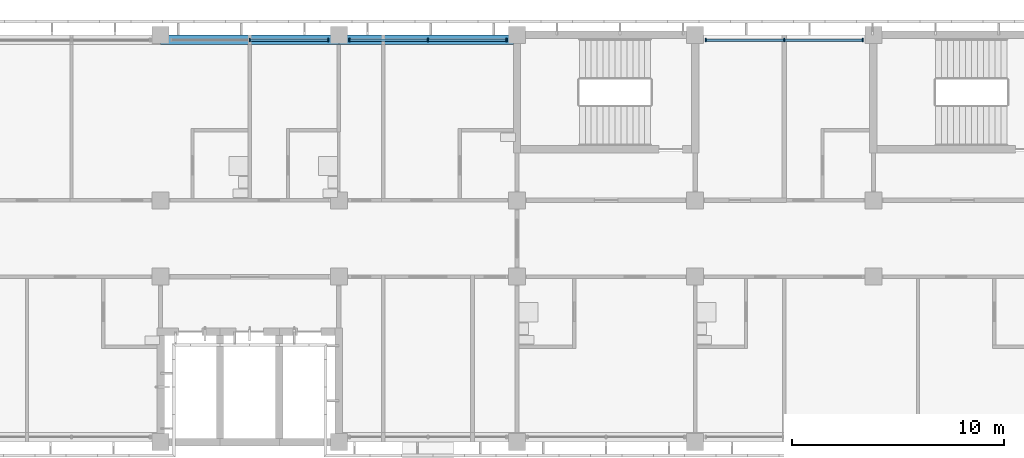
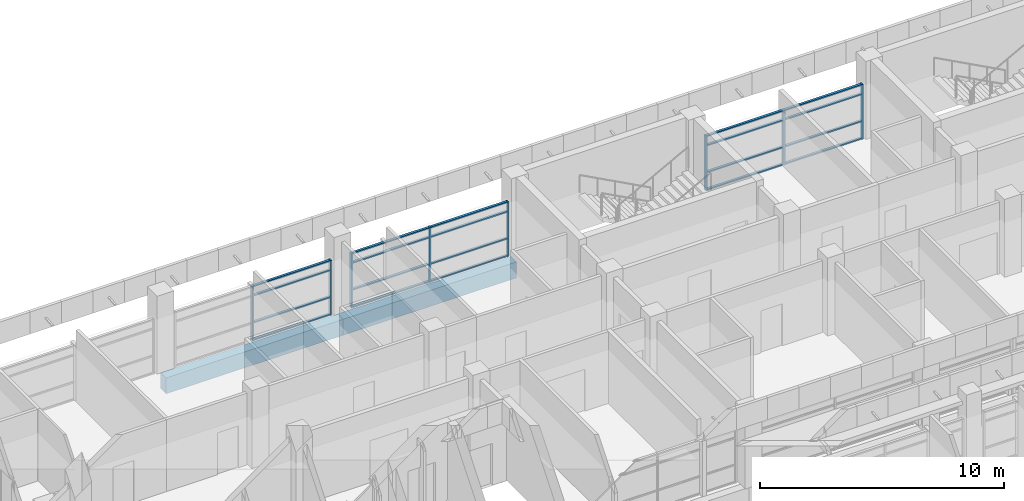
# One storey, part 10 of 71: 28 members, 2 beams, 3 elements without a shape of their own.
"""IFC4 building model written with IfcOpenShell, lengths in metres."""

import ifcopenshell
import ifcopenshell.guid

model = None  # the IFC model being written
_history = None  # IfcOwnerHistory: only IFC2X3 demands one
_inside = {}  # id of a spatial element -> (the spatial element, [elements in it])
_under = {}  # id of a project, library or spatial element -> (it, [spatial elements below it])
_declared = {}  # id of a project -> (the project, [libraries it declares])
_typed = {}  # id of a type object -> (the type object, [elements of that type])
_made_of = {}  # id of a material, layer set ... -> (it, [elements and type objects made of it])


def new_model(schema):
    """Start an empty IFC model of exactly this schema.

    Asked for "IFC4X3", IfcOpenShell would pick the latest addendum, in which some entities
    have other attributes; the version numbers below select the first issue.
    IFC2X3 requires an IfcOwnerHistory on every rooted entity: one is made here for all.
    """
    global model, _history
    if schema == "IFC4X3":
        model = ifcopenshell.file(schema_version=(4, 3, 0, 0))
    else:
        model = ifcopenshell.file(schema=schema)
    _inside.clear()
    _under.clear()
    _declared.clear()
    _typed.clear()
    _made_of.clear()
    _history = None
    if model.schema == "IFC2X3":
        org = make("IfcOrganization", Name="unknown")
        user = make(
            "IfcPersonAndOrganization",
            ThePerson=make("IfcPerson", FamilyName="unknown"),
            TheOrganization=org,
        )
        app = make(
            "IfcApplication",
            ApplicationDeveloper=org,
            Version="unknown",
            ApplicationFullName="unknown",
            ApplicationIdentifier="unknown",
        )
        _history = make(
            "IfcOwnerHistory",
            OwningUser=user,
            OwningApplication=app,
            ChangeAction="ADDED",
            CreationDate=0,
        )
    return model


def make(cls, **values):
    """One entity of the class cls with the attributes given. An attribute that is None is left unset."""
    return model.create_entity(
        cls, **{name: value for name, value in values.items() if value is not None}
    )


def rooted(cls, **values):
    """An entity with a GlobalId (a new one), such as an element, a storey or a relation."""
    return make(cls, GlobalId=ifcopenshell.guid.new(), OwnerHistory=_history, **values)


def si_unit(unit_type, name, prefix=None):
    """IfcSIUnit, for example si_unit("LENGTHUNIT", "METRE", prefix="MILLI")."""
    return make("IfcSIUnit", UnitType=unit_type, Prefix=prefix, Name=name)


def assignment(units):
    """IfcUnitAssignment: the units of a project."""
    return None if units is None else make("IfcUnitAssignment", Units=units)


def point(xyz):
    """IfcCartesianPoint."""
    return None if xyz is None else make("IfcCartesianPoint", Coordinates=xyz)


def direction(xyz):
    """IfcDirection."""
    return None if xyz is None else make("IfcDirection", DirectionRatios=xyz)


def frame(location, z_axis=None, x_axis=None):
    """IfcAxis2Placement3D, a coordinate frame: its origin and axes. An axis left out is left unset."""
    return make(
        "IfcAxis2Placement3D",
        Location=point(location),
        Axis=direction(z_axis),
        RefDirection=direction(x_axis),
    )


def frame_2d(location, x_axis=None):
    """IfcAxis2Placement2D, a coordinate frame in the plane: its origin and x axis."""
    return make(
        "IfcAxis2Placement2D", Location=point(location), RefDirection=direction(x_axis)
    )


def origin():
    """The frame at (0, 0, 0) with its axes left unset."""
    return frame((0.0, 0.0, 0.0))


def origin_2d():
    """The frame at (0, 0) in the plane with its x axis left unset."""
    return frame_2d((0.0, 0.0))


def place(relative_to, where):
    """IfcLocalPlacement: puts the frame where relative to a parent placement (None: the world)."""
    return make(
        "IfcLocalPlacement", PlacementRelTo=relative_to, RelativePlacement=where
    )


def context(
    kind, dimensions, precision=None, world=None, true_north=None, identifier=None
):
    """IfcGeometricRepresentationContext, for example the 3D "Model" context."""
    return make(
        "IfcGeometricRepresentationContext",
        ContextIdentifier=identifier,
        ContextType=kind,
        CoordinateSpaceDimension=dimensions,
        Precision=precision,
        WorldCoordinateSystem=world,
        TrueNorth=true_north,
    )


def subcontext(parent, identifier, kind, view, scale=None):
    """IfcGeometricRepresentationSubContext, for example "Body" below "Model"."""
    return make(
        "IfcGeometricRepresentationSubContext",
        ContextIdentifier=identifier,
        ContextType=kind,
        ParentContext=parent,
        TargetScale=scale,
        TargetView=view,
    )


def project(units=None, contexts=None):
    """IfcProject with its units and contexts."""
    return rooted(
        "IfcProject",
        Name="project",
        RepresentationContexts=contexts,
        UnitsInContext=assignment(units),
    )


def spatial(cls, under=None, at=None, **own):
    """A site, building, storey or space (cls), placed at a placement, below another one or the project."""
    s = rooted(cls, ObjectPlacement=at, **own)
    if under is not None:
        _under.setdefault(under.id(), (under, []))[1].append(s)
    return s


def profile(cls, at=None, kind="AREA", **sizes):
    """A parametric profile (cls). Its sizes go by their IFC names, for example OverallWidth=200.0."""
    return make(cls, ProfileType=kind, Position=at, **sizes)


def rectangle(**sizes):
    """IfcRectangleProfileDef."""
    return profile("IfcRectangleProfileDef", **sizes)


def extrude(swept, where, along, depth):
    """IfcExtrudedAreaSolid: the profile swept, set in the frame where, extruded along a direction by depth."""
    return make(
        "IfcExtrudedAreaSolid",
        SweptArea=swept,
        Position=where,
        ExtrudedDirection=direction(along),
        Depth=depth,
    )


def shape(context_of_items, identifier, shape_type, items):
    """IfcShapeRepresentation: the items that make up one representation, for example the "Body"."""
    return make(
        "IfcShapeRepresentation",
        ContextOfItems=context_of_items,
        RepresentationIdentifier=identifier,
        RepresentationType=shape_type,
        Items=items,
    )


def material(Name=None, Category=None):
    """IfcMaterial."""
    return make("IfcMaterial", Name=Name, Category=Category)


def material_profile(
    of_material, cross_section, Name=None, Category=None, Priority=None
):
    """IfcMaterialProfile: a cross section and its material."""
    return make(
        "IfcMaterialProfile",
        Name=Name,
        Material=of_material,
        Profile=cross_section,
        Priority=Priority,
        Category=Category,
    )


def profile_set(profiles, Name=None, composite=None):
    """IfcMaterialProfileSet."""
    return make(
        "IfcMaterialProfileSet",
        Name=Name,
        MaterialProfiles=profiles,
        CompositeProfile=composite,
    )


def made_of(thing, what):
    """Note that an element or type object is made of a material, layer set ...; save() writes the relation."""
    if what is not None:
        _made_of.setdefault(what.id(), (what, []))[1].append(thing)
    return thing


def type_object(cls, material=None, **own):
    """A type object (cls), such as IfcWallType, which elements share."""
    return made_of(rooted(cls, **own), material)


def element(
    cls,
    number,
    at=None,
    inside=None,
    cuts=None,
    type_object=None,
    material=None,
    context=None,
    identifier="Body",
    shape_type=None,
    held_by="IfcProductDefinitionShape",
    body=None,
    shapes=None,
    **own,
):
    """One element of the class cls, such as IfcWall. Its Tag is "e" and its number.

    at: its placement. inside: the storey or other place that contains it. cuts: it is an
    opening in that element (IfcRelVoidsElement). A single representation is given by context,
    identifier, shape_type and body (its items); several are given by shapes. held_by: the class
    of the entity that holds the representations. save() writes the other relations.
    """
    e = rooted(cls, Tag="e%d" % number, ObjectPlacement=at, **own)
    if body is not None:
        shapes = [shape(context, identifier, shape_type, body)]
    if shapes is not None:
        e.Representation = make(held_by, Representations=shapes)
    if inside is not None:
        _inside.setdefault(inside.id(), (inside, []))[1].append(e)
    if cuts is not None:
        rooted(
            "IfcRelVoidsElement", RelatingBuildingElement=cuts, RelatedOpeningElement=e
        )
    if type_object is not None:
        _typed.setdefault(type_object.id(), (type_object, []))[1].append(e)
    return made_of(e, material)


def aggregate(whole, parts):
    """IfcRelAggregates: a whole, such as a stair, and the parts it consists of."""
    return rooted("IfcRelAggregates", RelatingObject=whole, RelatedObjects=parts)


def save(model, path):
    """Write the relations noted so far, then the file.

    IfcRelAggregates (storeys below a building ...), IfcRelContainedInSpatialStructure (elements
    in a storey), IfcRelDefinesByType, IfcRelAssociatesMaterial and IfcRelDeclares: one each for
    every whole, place, type object, material and project.
    """
    for whole, parts in _under.values():
        aggregate(whole, parts)
    for where, things in _inside.values():
        rooted(
            "IfcRelContainedInSpatialStructure",
            RelatedElements=things,
            RelatingStructure=where,
        )
    for kind, things in _typed.values():
        rooted("IfcRelDefinesByType", RelatedObjects=things, RelatingType=kind)
    for what, things in _made_of.values():
        rooted("IfcRelAssociatesMaterial", RelatedObjects=things, RelatingMaterial=what)
    for by, libraries in _declared.values():
        rooted("IfcRelDeclares", RelatingContext=by, RelatedDefinitions=libraries)
    model.write(path)


model = new_model("IFC4")

# Units and contexts
model_context = context("Model", 3, precision=1e-05, world=origin(), true_north=direction((0.0, 1.0)))
body_context = subcontext(model_context, "Body", "Model", "MODEL_VIEW")
ifc_project = project(units=[si_unit("LENGTHUNIT", "METRE"), si_unit("AREAUNIT", "SQUARE_METRE"), si_unit("VOLUMEUNIT", "CUBIC_METRE"), si_unit("PLANEANGLEUNIT", "RADIAN"), si_unit("MASSUNIT", "GRAM", prefix="KILO")], contexts=[model_context])

# Site, building, storey
site_placement = place(None, origin())
site = spatial("IfcSite", under=ifc_project, at=site_placement, CompositionType="ELEMENT")
building_placement = place(site_placement, origin())
building = spatial("IfcBuilding", under=site, at=building_placement, Name="Bougainvillea Quay General Hospital", CompositionType="ELEMENT")
storey_placement = place(building_placement, frame((0.0, 0.0, 24.89990234375)))
storey = spatial("IfcBuildingStorey", under=building, at=storey_placement, Name="L05", CompositionType="ELEMENT", Elevation=24.89990234375)

# Curtain wall, members
ifc_material_1 = material(Name="Aluminium curtain wall system, powder-coated glazed", Category="aluminium")
curtain_wall_type = type_object("IfcCurtainWallType", Name="Unitised curtain wall CW-3730", PredefinedType="NOTDEFINED", material=ifc_material_1)
curtain_wall_1_placement = place(storey_placement, origin())
curtain_wall_1 = element("IfcCurtainWall", 1, at=curtain_wall_1_placement, inside=storey, type_object=curtain_wall_type, Name="CW-4200 07", PredefinedType="NOTDEFINED")
ifc_material_2 = material(Name="Aluminium mullion, powder-coated charcoal", Category="aluminium")
ifc_material_profile_1 = material_profile(ifc_material_2, rectangle(XDim=0.159912109375, YDim=0.06005859375, at=origin_2d()))
ifc_profile_set_1 = profile_set([ifc_material_profile_1], Name="Aluminium mullion, powder-coated charcoal")
member_type_1 = type_object("IfcMemberType", Name="Curtain wall mullion 160x60", PredefinedType="MULLION", material=ifc_profile_set_1)
member_1_placement = place(storey_placement, frame((100.300048828125, 159.35009765625, 0.0), z_axis=(0.0, 0.0, 1.0), x_axis=(0.0, -1.0, 0.0)))
member_1 = element("IfcMember", 2, at=member_1_placement, type_object=member_type_1, Name="CW-4200 mullion 1", PredefinedType="MULLION", context=body_context, shape_type="SweptSolid", body=[
    extrude(rectangle(XDim=0.159912109375, YDim=0.06005859375, at=origin_2d()), origin(), (0.0, 0.0, 1.0), 2.75),
])
member_2_placement = place(storey_placement, frame((96.60009765625, 159.35009765625, 0.0), z_axis=(0.0, 0.0, 1.0), x_axis=(0.0, -1.0, 0.0)))
member_2 = element("IfcMember", 3, at=member_2_placement, type_object=member_type_1, Name="CW-4200 mullion 2", PredefinedType="MULLION", context=body_context, shape_type="SweptSolid", body=[
    extrude(rectangle(XDim=0.159912109375, YDim=0.06005859375, at=origin_2d()), origin(), (0.0, 0.0, 1.0), 2.75),
])
member_3_placement = place(storey_placement, frame((92.89990234375, 159.35009765625, 0.0), z_axis=(0.0, 0.0, 1.0), x_axis=(0.0, -1.0, 0.0)))
member_3 = element("IfcMember", 4, at=member_3_placement, type_object=member_type_1, Name="CW-4200 mullion 3", PredefinedType="MULLION", context=body_context, shape_type="SweptSolid", body=[
    extrude(rectangle(XDim=0.159912109375, YDim=0.06005859375, at=origin_2d()), origin(), (0.0, 0.0, 1.0), 2.75),
])

curtain_wall_2_placement = place(storey_placement, origin())
curtain_wall_2 = element("IfcCurtainWall", 5, at=curtain_wall_2_placement, inside=storey, type_object=curtain_wall_type, Name="CW-4200 08", PredefinedType="NOTDEFINED")
member_4_placement = place(storey_placement, frame((83.5, 159.35009765625, 0.0), z_axis=(0.0, 0.0, 1.0), x_axis=(0.0, -1.0, 0.0)))
member_4 = element("IfcMember", 6, at=member_4_placement, type_object=member_type_1, Name="CW-4200 mullion 1", PredefinedType="MULLION", context=body_context, shape_type="SweptSolid", body=[
    extrude(rectangle(XDim=0.159912109375, YDim=0.06005859375, at=origin_2d()), origin(), (0.0, 0.0, 1.0), 2.75),
])
member_5_placement = place(storey_placement, frame((79.800048828125, 159.35009765625, 0.0), z_axis=(0.0, 0.0, 1.0), x_axis=(0.0, -1.0, 0.0)))
member_5 = element("IfcMember", 7, at=member_5_placement, type_object=member_type_1, Name="CW-4200 mullion 2", PredefinedType="MULLION", context=body_context, shape_type="SweptSolid", body=[
    extrude(rectangle(XDim=0.159912109375, YDim=0.06005859375, at=origin_2d()), origin(), (0.0, 0.0, 1.0), 2.75),
])
member_6_placement = place(storey_placement, frame((76.10009765625, 159.35009765625, 0.0), z_axis=(0.0, 0.0, 1.0), x_axis=(0.0, -1.0, 0.0)))
member_6 = element("IfcMember", 8, at=member_6_placement, type_object=member_type_1, Name="CW-4200 mullion 3", PredefinedType="MULLION", context=body_context, shape_type="SweptSolid", body=[
    extrude(rectangle(XDim=0.159912109375, YDim=0.06005859375, at=origin_2d()), origin(), (0.0, 0.0, 1.0), 2.75),
])

curtain_wall_3_placement = place(storey_placement, origin())
curtain_wall_3 = element("IfcCurtainWall", 9, at=curtain_wall_3_placement, inside=storey, type_object=curtain_wall_type, Name="CW-4200 09", PredefinedType="NOTDEFINED")
member_7_placement = place(storey_placement, frame((75.10009765625, 159.35009765625, 0.0), z_axis=(0.0, 0.0, 1.0), x_axis=(0.0, -1.0, 0.0)))
member_7 = element("IfcMember", 10, at=member_7_placement, type_object=member_type_1, Name="CW-4200 mullion 1", PredefinedType="MULLION", context=body_context, shape_type="SweptSolid", body=[
    extrude(rectangle(XDim=0.159912109375, YDim=0.06005859375, at=origin_2d()), origin(), (0.0, 0.0, 1.0), 2.75),
])
member_8_placement = place(storey_placement, frame((71.39990234375, 159.35009765625, 0.0), z_axis=(0.0, 0.0, 1.0), x_axis=(0.0, -1.0, 0.0)))
member_8 = element("IfcMember", 11, at=member_8_placement, type_object=member_type_1, Name="CW-4200 mullion 2", PredefinedType="MULLION", context=body_context, shape_type="SweptSolid", body=[
    extrude(rectangle(XDim=0.159912109375, YDim=0.06005859375, at=origin_2d()), origin(), (0.0, 0.0, 1.0), 2.75),
])

# Member
ifc_material_3 = material(Name="Aluminium transom, powder-coated charcoal", Category="aluminium")
ifc_material_profile_2 = material_profile(ifc_material_3, rectangle(XDim=0.1201171875, YDim=0.06005859375, at=origin_2d()))
ifc_profile_set_2 = profile_set([ifc_material_profile_2], Name="Aluminium transom, powder-coated charcoal")
member_type_2 = type_object("IfcMemberType", Name="Curtain wall transom 120x60", PredefinedType="USERDEFINED", material=ifc_profile_set_2)
member_9_placement = place(storey_placement, frame((100.27001953125, 159.35009765625, 0.030029296875), z_axis=(-1.0, 0.0, 0.0), x_axis=(0.0, -1.0, 0.0)))
member_9 = element("IfcMember", 12, at=member_9_placement, type_object=member_type_2, Name="CW-4200 transom 1.1", ObjectType="TRANSOM", PredefinedType="USERDEFINED", context=body_context, shape_type="SweptSolid", body=[
    extrude(rectangle(XDim=0.1201171875, YDim=0.06005859375, at=origin_2d()), origin(), (0.0, 0.0, 1.0), 3.64013671875),
])

member_10_placement = place(storey_placement, frame((100.27001953125, 159.35009765625, 0.900146484375), z_axis=(-1.0, 0.0, 0.0), x_axis=(0.0, -1.0, 0.0)))
member_10 = element("IfcMember", 13, at=member_10_placement, type_object=member_type_2, Name="CW-4200 transom 1.2", ObjectType="TRANSOM", PredefinedType="USERDEFINED", context=body_context, shape_type="SweptSolid", body=[
    extrude(rectangle(XDim=0.1201171875, YDim=0.06005859375, at=origin_2d()), origin(), (0.0, 0.0, 1.0), 3.64013671875),
])

member_11_placement = place(storey_placement, frame((100.27001953125, 159.35009765625, 2.25), z_axis=(-1.0, 0.0, 0.0), x_axis=(0.0, -1.0, 0.0)))
member_11 = element("IfcMember", 14, at=member_11_placement, type_object=member_type_2, Name="CW-4200 transom 1.3", ObjectType="TRANSOM", PredefinedType="USERDEFINED", context=body_context, shape_type="SweptSolid", body=[
    extrude(rectangle(XDim=0.1201171875, YDim=0.06005859375, at=origin_2d()), origin(), (0.0, 0.0, 1.0), 3.64013671875),
])

member_12_placement = place(storey_placement, frame((100.27001953125, 159.35009765625, 2.72021484375), z_axis=(-1.0, 0.0, 0.0), x_axis=(0.0, -1.0, 0.0)))
member_12 = element("IfcMember", 15, at=member_12_placement, type_object=member_type_2, Name="CW-4200 transom 1.4", ObjectType="TRANSOM", PredefinedType="USERDEFINED", context=body_context, shape_type="SweptSolid", body=[
    extrude(rectangle(XDim=0.1201171875, YDim=0.06005859375, at=origin_2d()), origin(), (0.0, 0.0, 1.0), 3.64013671875),
])

member_13_placement = place(storey_placement, frame((96.570068359375, 159.35009765625, 0.030029296875), z_axis=(-1.0, 0.0, 0.0), x_axis=(0.0, -1.0, 0.0)))
member_13 = element("IfcMember", 16, at=member_13_placement, type_object=member_type_2, Name="CW-4200 transom 2.1", ObjectType="TRANSOM", PredefinedType="USERDEFINED", context=body_context, shape_type="SweptSolid", body=[
    extrude(rectangle(XDim=0.1201171875, YDim=0.06005859375, at=origin_2d()), origin(), (0.0, 0.0, 1.0), 3.64013671875),
])

member_14_placement = place(storey_placement, frame((96.570068359375, 159.35009765625, 0.900146484375), z_axis=(-1.0, 0.0, 0.0), x_axis=(0.0, -1.0, 0.0)))
member_14 = element("IfcMember", 17, at=member_14_placement, type_object=member_type_2, Name="CW-4200 transom 2.2", ObjectType="TRANSOM", PredefinedType="USERDEFINED", context=body_context, shape_type="SweptSolid", body=[
    extrude(rectangle(XDim=0.1201171875, YDim=0.06005859375, at=origin_2d()), origin(), (0.0, 0.0, 1.0), 3.64013671875),
])

member_15_placement = place(storey_placement, frame((96.570068359375, 159.35009765625, 2.25), z_axis=(-1.0, 0.0, 0.0), x_axis=(0.0, -1.0, 0.0)))
member_15 = element("IfcMember", 18, at=member_15_placement, type_object=member_type_2, Name="CW-4200 transom 2.3", ObjectType="TRANSOM", PredefinedType="USERDEFINED", context=body_context, shape_type="SweptSolid", body=[
    extrude(rectangle(XDim=0.1201171875, YDim=0.06005859375, at=origin_2d()), origin(), (0.0, 0.0, 1.0), 3.64013671875),
])

member_16_placement = place(storey_placement, frame((96.570068359375, 159.35009765625, 2.72021484375), z_axis=(-1.0, 0.0, 0.0), x_axis=(0.0, -1.0, 0.0)))
member_16 = element("IfcMember", 19, at=member_16_placement, type_object=member_type_2, Name="CW-4200 transom 2.4", ObjectType="TRANSOM", PredefinedType="USERDEFINED", context=body_context, shape_type="SweptSolid", body=[
    extrude(rectangle(XDim=0.1201171875, YDim=0.06005859375, at=origin_2d()), origin(), (0.0, 0.0, 1.0), 3.64013671875),
])

aggregate(curtain_wall_1, [member_1, member_2, member_3, member_9, member_10, member_11, member_12, member_13, member_14, member_15, member_16])

member_17_placement = place(storey_placement, frame((83.469970703125, 159.35009765625, 0.030029296875), z_axis=(-1.0, 0.0, 0.0), x_axis=(0.0, -1.0, 0.0)))
member_17 = element("IfcMember", 20, at=member_17_placement, type_object=member_type_2, Name="CW-4200 transom 1.1", ObjectType="TRANSOM", PredefinedType="USERDEFINED", context=body_context, shape_type="SweptSolid", body=[
    extrude(rectangle(XDim=0.1201171875, YDim=0.06005859375, at=origin_2d()), origin(), (0.0, 0.0, 1.0), 3.639892578125),
])

member_18_placement = place(storey_placement, frame((83.469970703125, 159.35009765625, 0.900146484375), z_axis=(-1.0, 0.0, 0.0), x_axis=(0.0, -1.0, 0.0)))
member_18 = element("IfcMember", 21, at=member_18_placement, type_object=member_type_2, Name="CW-4200 transom 1.2", ObjectType="TRANSOM", PredefinedType="USERDEFINED", context=body_context, shape_type="SweptSolid", body=[
    extrude(rectangle(XDim=0.1201171875, YDim=0.06005859375, at=origin_2d()), origin(), (0.0, 0.0, 1.0), 3.639892578125),
])

member_19_placement = place(storey_placement, frame((83.469970703125, 159.35009765625, 2.25), z_axis=(-1.0, 0.0, 0.0), x_axis=(0.0, -1.0, 0.0)))
member_19 = element("IfcMember", 22, at=member_19_placement, type_object=member_type_2, Name="CW-4200 transom 1.3", ObjectType="TRANSOM", PredefinedType="USERDEFINED", context=body_context, shape_type="SweptSolid", body=[
    extrude(rectangle(XDim=0.1201171875, YDim=0.06005859375, at=origin_2d()), origin(), (0.0, 0.0, 1.0), 3.639892578125),
])

member_20_placement = place(storey_placement, frame((83.469970703125, 159.35009765625, 2.72021484375), z_axis=(-1.0, 0.0, 0.0), x_axis=(0.0, -1.0, 0.0)))
member_20 = element("IfcMember", 23, at=member_20_placement, type_object=member_type_2, Name="CW-4200 transom 1.4", ObjectType="TRANSOM", PredefinedType="USERDEFINED", context=body_context, shape_type="SweptSolid", body=[
    extrude(rectangle(XDim=0.1201171875, YDim=0.06005859375, at=origin_2d()), origin(), (0.0, 0.0, 1.0), 3.639892578125),
])

member_21_placement = place(storey_placement, frame((79.77001953125, 159.35009765625, 0.030029296875), z_axis=(-1.0, 0.0, 0.0), x_axis=(0.0, -1.0, 0.0)))
member_21 = element("IfcMember", 24, at=member_21_placement, type_object=member_type_2, Name="CW-4200 transom 2.1", ObjectType="TRANSOM", PredefinedType="USERDEFINED", context=body_context, shape_type="SweptSolid", body=[
    extrude(rectangle(XDim=0.1201171875, YDim=0.06005859375, at=origin_2d()), origin(), (0.0, 0.0, 1.0), 3.64013671875),
])

member_22_placement = place(storey_placement, frame((79.77001953125, 159.35009765625, 0.900146484375), z_axis=(-1.0, 0.0, 0.0), x_axis=(0.0, -1.0, 0.0)))
member_22 = element("IfcMember", 25, at=member_22_placement, type_object=member_type_2, Name="CW-4200 transom 2.2", ObjectType="TRANSOM", PredefinedType="USERDEFINED", context=body_context, shape_type="SweptSolid", body=[
    extrude(rectangle(XDim=0.1201171875, YDim=0.06005859375, at=origin_2d()), origin(), (0.0, 0.0, 1.0), 3.64013671875),
])

member_23_placement = place(storey_placement, frame((79.77001953125, 159.35009765625, 2.25), z_axis=(-1.0, 0.0, 0.0), x_axis=(0.0, -1.0, 0.0)))
member_23 = element("IfcMember", 26, at=member_23_placement, type_object=member_type_2, Name="CW-4200 transom 2.3", ObjectType="TRANSOM", PredefinedType="USERDEFINED", context=body_context, shape_type="SweptSolid", body=[
    extrude(rectangle(XDim=0.1201171875, YDim=0.06005859375, at=origin_2d()), origin(), (0.0, 0.0, 1.0), 3.64013671875),
])

member_24_placement = place(storey_placement, frame((79.77001953125, 159.35009765625, 2.72021484375), z_axis=(-1.0, 0.0, 0.0), x_axis=(0.0, -1.0, 0.0)))
member_24 = element("IfcMember", 27, at=member_24_placement, type_object=member_type_2, Name="CW-4200 transom 2.4", ObjectType="TRANSOM", PredefinedType="USERDEFINED", context=body_context, shape_type="SweptSolid", body=[
    extrude(rectangle(XDim=0.1201171875, YDim=0.06005859375, at=origin_2d()), origin(), (0.0, 0.0, 1.0), 3.64013671875),
])

aggregate(curtain_wall_2, [member_4, member_5, member_6, member_17, member_18, member_19, member_20, member_21, member_22, member_23, member_24])

member_25_placement = place(storey_placement, frame((75.070068359375, 159.35009765625, 0.030029296875), z_axis=(-1.0, 0.0, 0.0), x_axis=(0.0, -1.0, 0.0)))
member_25 = element("IfcMember", 28, at=member_25_placement, type_object=member_type_2, Name="CW-4200 transom 1.1", ObjectType="TRANSOM", PredefinedType="USERDEFINED", context=body_context, shape_type="SweptSolid", body=[
    extrude(rectangle(XDim=0.1201171875, YDim=0.06005859375, at=origin_2d()), origin(), (0.0, 0.0, 1.0), 3.64013671875),
])

member_26_placement = place(storey_placement, frame((75.070068359375, 159.35009765625, 0.900146484375), z_axis=(-1.0, 0.0, 0.0), x_axis=(0.0, -1.0, 0.0)))
member_26 = element("IfcMember", 29, at=member_26_placement, type_object=member_type_2, Name="CW-4200 transom 1.2", ObjectType="TRANSOM", PredefinedType="USERDEFINED", context=body_context, shape_type="SweptSolid", body=[
    extrude(rectangle(XDim=0.1201171875, YDim=0.06005859375, at=origin_2d()), origin(), (0.0, 0.0, 1.0), 3.64013671875),
])

member_27_placement = place(storey_placement, frame((75.070068359375, 159.35009765625, 2.25), z_axis=(-1.0, 0.0, 0.0), x_axis=(0.0, -1.0, 0.0)))
member_27 = element("IfcMember", 30, at=member_27_placement, type_object=member_type_2, Name="CW-4200 transom 1.3", ObjectType="TRANSOM", PredefinedType="USERDEFINED", context=body_context, shape_type="SweptSolid", body=[
    extrude(rectangle(XDim=0.1201171875, YDim=0.06005859375, at=origin_2d()), origin(), (0.0, 0.0, 1.0), 3.64013671875),
])

member_28_placement = place(storey_placement, frame((75.070068359375, 159.35009765625, 2.72021484375), z_axis=(-1.0, 0.0, 0.0), x_axis=(0.0, -1.0, 0.0)))
member_28 = element("IfcMember", 31, at=member_28_placement, type_object=member_type_2, Name="CW-4200 transom 1.4", ObjectType="TRANSOM", PredefinedType="USERDEFINED", context=body_context, shape_type="SweptSolid", body=[
    extrude(rectangle(XDim=0.1201171875, YDim=0.06005859375, at=origin_2d()), origin(), (0.0, 0.0, 1.0), 3.64013671875),
])

aggregate(curtain_wall_3, [member_7, member_8, member_25, member_26, member_27, member_28])

# Beams
ifc_material_4 = material(Name="Concrete C40", Category="concrete")
ifc_material_profile_3 = material_profile(ifc_material_4, rectangle(XDim=0.449951171875, YDim=0.800048828125, at=origin_2d()))
ifc_profile_set_3 = profile_set([ifc_material_profile_3], Name="Concrete C40")
beam_type = type_object("IfcBeamType", Name="RC BEAM 450x800 C40", PredefinedType="BEAM", material=ifc_profile_set_3)
beam_1_placement = place(storey_placement, frame((83.824951171875, 159.375, -0.699951171875), z_axis=(-1.0, 0.0, 0.0), x_axis=(0.0, -1.0, 0.0)))
element("IfcBeam", 32, at=beam_1_placement, inside=storey, type_object=beam_type, Name="Edge beam L05", PredefinedType="BEAM", context=body_context, shape_type="SweptSolid", body=[
    extrude(rectangle(XDim=0.449951171875, YDim=0.800048828125, at=origin_2d()), origin(), (0.0, 0.0, 1.0), 8.224853515625),
])
beam_2_placement = place(storey_placement, frame((75.60009765625, 159.375, -0.699951171875), z_axis=(-1.0, 0.0, 0.0), x_axis=(0.0, -1.0, 0.0)))
element("IfcBeam", 33, at=beam_2_placement, inside=storey, type_object=beam_type, Name="Edge beam L05", PredefinedType="BEAM", context=body_context, shape_type="SweptSolid", body=[
    extrude(rectangle(XDim=0.449951171875, YDim=0.800048828125, at=origin_2d()), origin(), (0.0, 0.0, 1.0), 8.400146484375),
])

save(model, "model.ifc")
